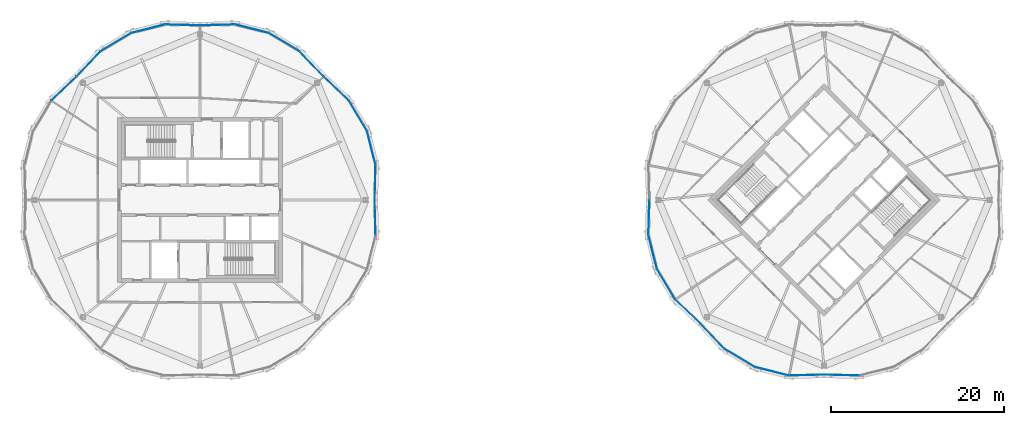
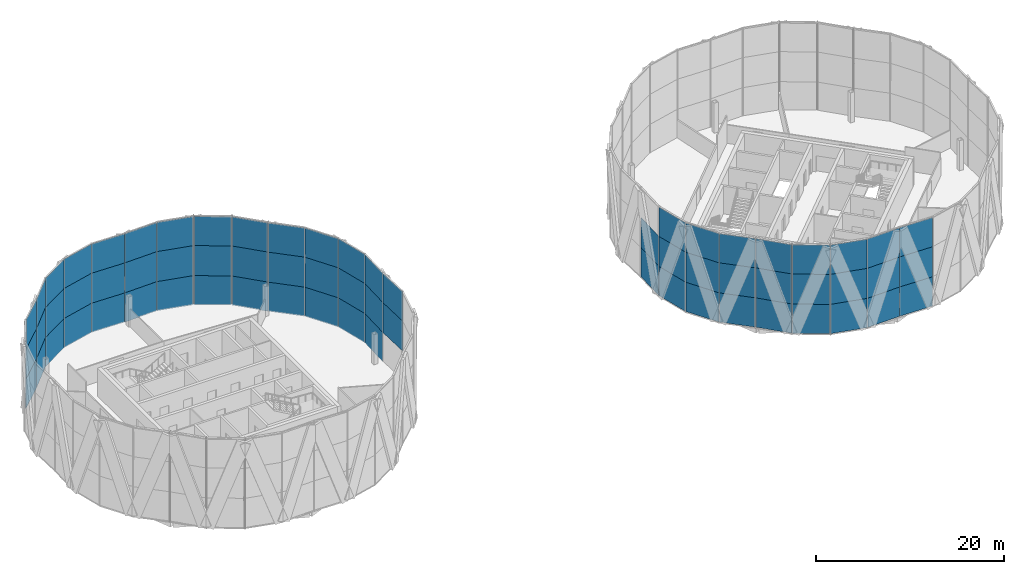
# One storey, part 13 of 22: 67 plates, 8 elements without a shape of their own.
"""IFC4 building model written with IfcOpenShell, lengths in metres."""

from ifc_helpers import new_model, si_unit, direction, frame, origin, origin_2d, place, context, subcontext, project, spatial, rectangle, extrude, material, layer, layer_set, type_object, element, aggregate, save


model = new_model("IFC4")

# Units and contexts
model_context = context("Model", 3, precision=1e-05, world=origin(), true_north=direction((0.0, 1.0)))
body_context = subcontext(model_context, "Body", "Model", "MODEL_VIEW")
ifc_project = project(units=[si_unit("LENGTHUNIT", "METRE"), si_unit("AREAUNIT", "SQUARE_METRE"), si_unit("VOLUMEUNIT", "CUBIC_METRE"), si_unit("PLANEANGLEUNIT", "RADIAN"), si_unit("MASSUNIT", "GRAM", prefix="KILO")], contexts=[model_context])

# Site, building, storey
site_placement = place(None, origin())
site = spatial("IfcSite", under=ifc_project, at=site_placement, CompositionType="ELEMENT")
building_placement = place(site_placement, origin())
building = spatial("IfcBuilding", under=site, at=building_placement, Name="Ogive Gate Towers", CompositionType="ELEMENT")
storey_placement = place(building_placement, frame((0.0, 0.0, 228.89990234375)))
storey = spatial("IfcBuildingStorey", under=building, at=storey_placement, Name="L54", CompositionType="ELEMENT", Elevation=228.89990234375)

# Curtain wall, plates
ifc_material_1 = material(Name="Pale metal aluminium", Category="aluminium")
curtain_wall_type = type_object("IfcCurtainWallType", Name="Tower unitised wall, high zone", PredefinedType="NOTDEFINED", material=ifc_material_1)
curtain_wall_1_placement = place(storey_placement, origin())
curtain_wall_1 = element("IfcCurtainWall", 1, at=curtain_wall_1_placement, inside=storey, type_object=curtain_wall_type, Name="CW2 T1 ECW01", PredefinedType="NOTDEFINED")
ifc_material_2 = material(Name="Clear glass", Category="glass")
ifc_layer = layer(ifc_material_2, 0.028076171875)
ifc_layer_set = layer_set([ifc_layer], Name="Tower unitised wall, high zone glass panel")
plate_type = type_object("IfcPlateType", Name="Tower unitised wall, high zone glass panel", PredefinedType="CURTAIN_PANEL", material=ifc_layer_set)
plate_1_placement = place(storey_placement, frame((-15.79736328125, 2.008056640625, -0.2041015625), z_axis=(0.0, 0.0, 1.0), x_axis=(0.026229290207, 0.999655952983, 0.0)))
plate_1 = element("IfcPlate", 2, at=plate_1_placement, type_object=plate_type, Name="CW2 glass panel", PredefinedType="CURTAIN_PANEL", context=body_context, shape_type="SweptSolid", body=[
    extrude(rectangle(XDim=3.963623046875, YDim=0.028076171875, at=origin_2d()), origin(), (0.0, 0.0, 1.0), 3.803955078125),
])
plate_2_placement = place(storey_placement, frame((-15.79736328125, 2.008056640625, 3.60009765625), z_axis=(0.0, 0.0, 1.0), x_axis=(0.026229290207, 0.999655952983, 0.0)))
plate_2 = element("IfcPlate", 3, at=plate_2_placement, type_object=plate_type, Name="CW2 glass panel", PredefinedType="CURTAIN_PANEL", context=body_context, shape_type="SweptSolid", body=[
    extrude(rectangle(XDim=3.963623046875, YDim=0.028076171875, at=origin_2d()), origin(), (0.0, 0.0, 1.0), 3.89990234375),
])
plate_3_placement = place(storey_placement, frame((-15.79736328125, 2.008056640625, 7.5), z_axis=(0.0, 0.0, 1.0), x_axis=(0.026229290207, 0.999655952983, 0.0)))
plate_3 = element("IfcPlate", 4, at=plate_3_placement, type_object=plate_type, Name="CW2 glass panel", PredefinedType="CURTAIN_PANEL", context=body_context, shape_type="SweptSolid", body=[
    extrude(rectangle(XDim=3.963623046875, YDim=0.028076171875, at=origin_2d()), origin(), (0.0, 0.0, 1.0), 3.803955078125),
])
plate_4_placement = place(storey_placement, frame((-16.240234375, 5.999755859375, -0.2041015625), z_axis=(0.0, 0.0, 1.0), x_axis=(-0.242937854074, 0.970041854282, 0.0)))
plate_4 = element("IfcPlate", 5, at=plate_4_placement, type_object=plate_type, Name="CW2 glass panel", PredefinedType="CURTAIN_PANEL", context=body_context, shape_type="SweptSolid", body=[
    extrude(rectangle(XDim=4.01953125, YDim=0.028076171875, at=origin_2d()), origin(), (0.0, 0.0, 1.0), 3.803955078125),
])
plate_5_placement = place(storey_placement, frame((-16.240234375, 5.999755859375, 3.60009765625), z_axis=(0.0, 0.0, 1.0), x_axis=(-0.242937854074, 0.970041854282, 0.0)))
plate_5 = element("IfcPlate", 6, at=plate_5_placement, type_object=plate_type, Name="CW2 glass panel", PredefinedType="CURTAIN_PANEL", context=body_context, shape_type="SweptSolid", body=[
    extrude(rectangle(XDim=4.01953125, YDim=0.028076171875, at=origin_2d()), origin(), (0.0, 0.0, 1.0), 3.89990234375),
])
plate_6_placement = place(storey_placement, frame((-16.240234375, 5.999755859375, 7.5), z_axis=(0.0, 0.0, 1.0), x_axis=(-0.242937854074, 0.970041854282, 0.0)))
plate_6 = element("IfcPlate", 7, at=plate_6_placement, type_object=plate_type, Name="CW2 glass panel", PredefinedType="CURTAIN_PANEL", context=body_context, shape_type="SweptSolid", body=[
    extrude(rectangle(XDim=4.01953125, YDim=0.028076171875, at=origin_2d()), origin(), (0.0, 0.0, 1.0), 3.803955078125),
])
plate_7_placement = place(storey_placement, frame((-17.785400390625, 9.729736328125, -0.2041015625), z_axis=(0.0, 0.0, 1.0), x_axis=(-0.514155138893, 0.85769720365, 0.0)))
plate_7 = element("IfcPlate", 8, at=plate_7_placement, type_object=plate_type, Name="CW2 glass panel", PredefinedType="CURTAIN_PANEL", context=body_context, shape_type="SweptSolid", body=[
    extrude(rectangle(XDim=4.01953125, YDim=0.028076171875, at=origin_2d()), origin(), (0.0, 0.0, 1.0), 3.803955078125),
])
plate_8_placement = place(storey_placement, frame((-17.785400390625, 9.729736328125, 3.60009765625), z_axis=(0.0, 0.0, 1.0), x_axis=(-0.514155138893, 0.85769720365, 0.0)))
plate_8 = element("IfcPlate", 9, at=plate_8_placement, type_object=plate_type, Name="CW2 glass panel", PredefinedType="CURTAIN_PANEL", context=body_context, shape_type="SweptSolid", body=[
    extrude(rectangle(XDim=4.01953125, YDim=0.028076171875, at=origin_2d()), origin(), (0.0, 0.0, 1.0), 3.89990234375),
])
plate_9_placement = place(storey_placement, frame((-17.785400390625, 9.729736328125, 7.5), z_axis=(0.0, 0.0, 1.0), x_axis=(-0.514155138893, 0.85769720365, 0.0)))
plate_9 = element("IfcPlate", 10, at=plate_9_placement, type_object=plate_type, Name="CW2 glass panel", PredefinedType="CURTAIN_PANEL", context=body_context, shape_type="SweptSolid", body=[
    extrude(rectangle(XDim=4.01953125, YDim=0.028076171875, at=origin_2d()), origin(), (0.0, 0.0, 1.0), 3.803955078125),
])
plate_10_placement = place(storey_placement, frame((-20.294677734375, 12.865478515625, -0.2041015625), z_axis=(0.0, 0.0, 1.0), x_axis=(-0.725398398678, 0.688329254932, 0.0)))
plate_10 = element("IfcPlate", 11, at=plate_10_placement, type_object=plate_type, Name="CW2 glass panel", PredefinedType="CURTAIN_PANEL", context=body_context, shape_type="SweptSolid", body=[
    extrude(rectangle(XDim=3.963623046875, YDim=0.028076171875, at=origin_2d()), origin(), (0.0, 0.0, 1.0), 3.803955078125),
])
plate_11_placement = place(storey_placement, frame((-20.294677734375, 12.865478515625, 3.60009765625), z_axis=(0.0, 0.0, 1.0), x_axis=(-0.725398398678, 0.688329254932, 0.0)))
plate_11 = element("IfcPlate", 12, at=plate_11_placement, type_object=plate_type, Name="CW2 glass panel", PredefinedType="CURTAIN_PANEL", context=body_context, shape_type="SweptSolid", body=[
    extrude(rectangle(XDim=3.963623046875, YDim=0.028076171875, at=origin_2d()), origin(), (0.0, 0.0, 1.0), 3.89990234375),
])
plate_12_placement = place(storey_placement, frame((-20.294677734375, 12.865478515625, 7.5), z_axis=(0.0, 0.0, 1.0), x_axis=(-0.725398398678, 0.688329254932, 0.0)))
plate_12 = element("IfcPlate", 13, at=plate_12_placement, type_object=plate_type, Name="CW2 glass panel", PredefinedType="CURTAIN_PANEL", context=body_context, shape_type="SweptSolid", body=[
    extrude(rectangle(XDim=3.963623046875, YDim=0.028076171875, at=origin_2d()), origin(), (0.0, 0.0, 1.0), 3.803955078125),
])
aggregate(curtain_wall_1, [plate_1, plate_2, plate_3, plate_4, plate_5, plate_6, plate_7, plate_8, plate_9, plate_10, plate_11, plate_12])

curtain_wall_2_placement = place(storey_placement, origin())
curtain_wall_2 = element("IfcCurtainWall", 14, at=curtain_wall_2_placement, inside=storey, type_object=curtain_wall_type, Name="CW2 T1 ECW02", PredefinedType="NOTDEFINED")
plate_13_placement = place(storey_placement, frame((-23.134521484375, 15.705322265625, -0.2041015625), z_axis=(0.0, 0.0, 1.0), x_axis=(-0.688329254932, 0.725398398678, 0.0)))
plate_13 = element("IfcPlate", 15, at=plate_13_placement, type_object=plate_type, Name="CW2 glass panel", PredefinedType="CURTAIN_PANEL", context=body_context, shape_type="SweptSolid", body=[
    extrude(rectangle(XDim=3.963623046875, YDim=0.028076171875, at=origin_2d()), origin(), (0.0, 0.0, 1.0), 3.803955078125),
])
plate_14_placement = place(storey_placement, frame((-23.134521484375, 15.705322265625, 3.60009765625), z_axis=(0.0, 0.0, 1.0), x_axis=(-0.688329254932, 0.725398398678, 0.0)))
plate_14 = element("IfcPlate", 16, at=plate_14_placement, type_object=plate_type, Name="CW2 glass panel", PredefinedType="CURTAIN_PANEL", context=body_context, shape_type="SweptSolid", body=[
    extrude(rectangle(XDim=3.963623046875, YDim=0.028076171875, at=origin_2d()), origin(), (0.0, 0.0, 1.0), 3.89990234375),
])
plate_15_placement = place(storey_placement, frame((-23.134521484375, 15.705322265625, 7.5), z_axis=(0.0, 0.0, 1.0), x_axis=(-0.688329254932, 0.725398398678, 0.0)))
plate_15 = element("IfcPlate", 17, at=plate_15_placement, type_object=plate_type, Name="CW2 glass panel", PredefinedType="CURTAIN_PANEL", context=body_context, shape_type="SweptSolid", body=[
    extrude(rectangle(XDim=3.963623046875, YDim=0.028076171875, at=origin_2d()), origin(), (0.0, 0.0, 1.0), 3.803955078125),
])
plate_16_placement = place(storey_placement, frame((-26.270263671875, 18.214599609375, -0.2041015625), z_axis=(0.0, 0.0, 1.0), x_axis=(-0.85769720365, 0.514155138893, 0.0)))
plate_16 = element("IfcPlate", 18, at=plate_16_placement, type_object=plate_type, Name="CW2 glass panel", PredefinedType="CURTAIN_PANEL", context=body_context, shape_type="SweptSolid", body=[
    extrude(rectangle(XDim=4.01953125, YDim=0.028076171875, at=origin_2d()), origin(), (0.0, 0.0, 1.0), 3.803955078125),
])
plate_17_placement = place(storey_placement, frame((-26.270263671875, 18.214599609375, 3.60009765625), z_axis=(0.0, 0.0, 1.0), x_axis=(-0.85769720365, 0.514155138893, 0.0)))
plate_17 = element("IfcPlate", 19, at=plate_17_placement, type_object=plate_type, Name="CW2 glass panel", PredefinedType="CURTAIN_PANEL", context=body_context, shape_type="SweptSolid", body=[
    extrude(rectangle(XDim=4.01953125, YDim=0.028076171875, at=origin_2d()), origin(), (0.0, 0.0, 1.0), 3.89990234375),
])
plate_18_placement = place(storey_placement, frame((-26.270263671875, 18.214599609375, 7.5), z_axis=(0.0, 0.0, 1.0), x_axis=(-0.85769720365, 0.514155138893, 0.0)))
plate_18 = element("IfcPlate", 20, at=plate_18_placement, type_object=plate_type, Name="CW2 glass panel", PredefinedType="CURTAIN_PANEL", context=body_context, shape_type="SweptSolid", body=[
    extrude(rectangle(XDim=4.01953125, YDim=0.028076171875, at=origin_2d()), origin(), (0.0, 0.0, 1.0), 3.803955078125),
])
plate_19_placement = place(storey_placement, frame((-30.000244140625, 19.759765625, -0.2041015625), z_axis=(0.0, 0.0, 1.0), x_axis=(-0.970041854282, 0.242937854074, 0.0)))
plate_19 = element("IfcPlate", 21, at=plate_19_placement, type_object=plate_type, Name="CW2 glass panel", PredefinedType="CURTAIN_PANEL", context=body_context, shape_type="SweptSolid", body=[
    extrude(rectangle(XDim=4.01953125, YDim=0.028076171875, at=origin_2d()), origin(), (0.0, 0.0, 1.0), 3.803955078125),
])
plate_20_placement = place(storey_placement, frame((-30.000244140625, 19.759765625, 3.60009765625), z_axis=(0.0, 0.0, 1.0), x_axis=(-0.970041854282, 0.242937854074, 0.0)))
plate_20 = element("IfcPlate", 22, at=plate_20_placement, type_object=plate_type, Name="CW2 glass panel", PredefinedType="CURTAIN_PANEL", context=body_context, shape_type="SweptSolid", body=[
    extrude(rectangle(XDim=4.01953125, YDim=0.028076171875, at=origin_2d()), origin(), (0.0, 0.0, 1.0), 3.89990234375),
])
plate_21_placement = place(storey_placement, frame((-30.000244140625, 19.759765625, 7.5), z_axis=(0.0, 0.0, 1.0), x_axis=(-0.970041854282, 0.242937854074, 0.0)))
plate_21 = element("IfcPlate", 23, at=plate_21_placement, type_object=plate_type, Name="CW2 glass panel", PredefinedType="CURTAIN_PANEL", context=body_context, shape_type="SweptSolid", body=[
    extrude(rectangle(XDim=4.01953125, YDim=0.028076171875, at=origin_2d()), origin(), (0.0, 0.0, 1.0), 3.803955078125),
])
plate_22_placement = place(storey_placement, frame((-33.991943359375, 20.20263671875, -0.2041015625), z_axis=(0.0, 0.0, 1.0), x_axis=(-0.999655952983, -0.026229290207, 0.0)))
plate_22 = element("IfcPlate", 24, at=plate_22_placement, type_object=plate_type, Name="CW2 glass panel", PredefinedType="CURTAIN_PANEL", context=body_context, shape_type="SweptSolid", body=[
    extrude(rectangle(XDim=3.963623046875, YDim=0.028076171875, at=origin_2d()), origin(), (0.0, 0.0, 1.0), 3.803955078125),
])
plate_23_placement = place(storey_placement, frame((-33.991943359375, 20.20263671875, 3.60009765625), z_axis=(0.0, 0.0, 1.0), x_axis=(-0.999655952983, -0.026229290207, 0.0)))
plate_23 = element("IfcPlate", 25, at=plate_23_placement, type_object=plate_type, Name="CW2 glass panel", PredefinedType="CURTAIN_PANEL", context=body_context, shape_type="SweptSolid", body=[
    extrude(rectangle(XDim=3.963623046875, YDim=0.028076171875, at=origin_2d()), origin(), (0.0, 0.0, 1.0), 3.89990234375),
])
plate_24_placement = place(storey_placement, frame((-33.991943359375, 20.20263671875, 7.5), z_axis=(0.0, 0.0, 1.0), x_axis=(-0.999655952983, -0.026229290207, 0.0)))
plate_24 = element("IfcPlate", 26, at=plate_24_placement, type_object=plate_type, Name="CW2 glass panel", PredefinedType="CURTAIN_PANEL", context=body_context, shape_type="SweptSolid", body=[
    extrude(rectangle(XDim=3.963623046875, YDim=0.028076171875, at=origin_2d()), origin(), (0.0, 0.0, 1.0), 3.803955078125),
])
aggregate(curtain_wall_2, [plate_13, plate_14, plate_15, plate_16, plate_17, plate_18, plate_19, plate_20, plate_21, plate_22, plate_23, plate_24])

curtain_wall_3_placement = place(storey_placement, origin())
curtain_wall_3 = element("IfcCurtainWall", 27, at=curtain_wall_3_placement, inside=storey, type_object=curtain_wall_type, Name="CW2 T1 ECW03", PredefinedType="NOTDEFINED")
plate_25_placement = place(storey_placement, frame((-38.008056640625, 20.20263671875, -0.2041015625), z_axis=(0.0, 0.0, 1.0), x_axis=(-0.999655952983, 0.026229290207, 0.0)))
plate_25 = element("IfcPlate", 28, at=plate_25_placement, type_object=plate_type, Name="CW2 glass panel", PredefinedType="CURTAIN_PANEL", context=body_context, shape_type="SweptSolid", body=[
    extrude(rectangle(XDim=3.963623046875, YDim=0.028076171875, at=origin_2d()), origin(), (0.0, 0.0, 1.0), 3.803955078125),
])
plate_26_placement = place(storey_placement, frame((-38.008056640625, 20.20263671875, 3.60009765625), z_axis=(0.0, 0.0, 1.0), x_axis=(-0.999655952983, 0.026229290207, 0.0)))
plate_26 = element("IfcPlate", 29, at=plate_26_placement, type_object=plate_type, Name="CW2 glass panel", PredefinedType="CURTAIN_PANEL", context=body_context, shape_type="SweptSolid", body=[
    extrude(rectangle(XDim=3.963623046875, YDim=0.028076171875, at=origin_2d()), origin(), (0.0, 0.0, 1.0), 3.89990234375),
])
plate_27_placement = place(storey_placement, frame((-38.008056640625, 20.20263671875, 7.5), z_axis=(0.0, 0.0, 1.0), x_axis=(-0.999655952983, 0.026229290207, 0.0)))
plate_27 = element("IfcPlate", 30, at=plate_27_placement, type_object=plate_type, Name="CW2 glass panel", PredefinedType="CURTAIN_PANEL", context=body_context, shape_type="SweptSolid", body=[
    extrude(rectangle(XDim=3.963623046875, YDim=0.028076171875, at=origin_2d()), origin(), (0.0, 0.0, 1.0), 3.803955078125),
])
plate_28_placement = place(storey_placement, frame((-41.999755859375, 19.759765625, -0.2041015625), z_axis=(0.0, 0.0, 1.0), x_axis=(-0.970041854282, -0.242937854074, 0.0)))
plate_28 = element("IfcPlate", 31, at=plate_28_placement, type_object=plate_type, Name="CW2 glass panel", PredefinedType="CURTAIN_PANEL", context=body_context, shape_type="SweptSolid", body=[
    extrude(rectangle(XDim=4.01953125, YDim=0.028076171875, at=origin_2d()), origin(), (0.0, 0.0, 1.0), 3.803955078125),
])
plate_29_placement = place(storey_placement, frame((-41.999755859375, 19.759765625, 3.60009765625), z_axis=(0.0, 0.0, 1.0), x_axis=(-0.970041854282, -0.242937854074, 0.0)))
plate_29 = element("IfcPlate", 32, at=plate_29_placement, type_object=plate_type, Name="CW2 glass panel", PredefinedType="CURTAIN_PANEL", context=body_context, shape_type="SweptSolid", body=[
    extrude(rectangle(XDim=4.01953125, YDim=0.028076171875, at=origin_2d()), origin(), (0.0, 0.0, 1.0), 3.89990234375),
])
plate_30_placement = place(storey_placement, frame((-41.999755859375, 19.759765625, 7.5), z_axis=(0.0, 0.0, 1.0), x_axis=(-0.970041854282, -0.242937854074, 0.0)))
plate_30 = element("IfcPlate", 33, at=plate_30_placement, type_object=plate_type, Name="CW2 glass panel", PredefinedType="CURTAIN_PANEL", context=body_context, shape_type="SweptSolid", body=[
    extrude(rectangle(XDim=4.01953125, YDim=0.028076171875, at=origin_2d()), origin(), (0.0, 0.0, 1.0), 3.803955078125),
])
plate_31_placement = place(storey_placement, frame((-45.729736328125, 18.214599609375, -0.2041015625), z_axis=(0.0, 0.0, 1.0), x_axis=(-0.85769720365, -0.514155138893, 0.0)))
plate_31 = element("IfcPlate", 34, at=plate_31_placement, type_object=plate_type, Name="CW2 glass panel", PredefinedType="CURTAIN_PANEL", context=body_context, shape_type="SweptSolid", body=[
    extrude(rectangle(XDim=4.01953125, YDim=0.028076171875, at=origin_2d()), origin(), (0.0, 0.0, 1.0), 3.803955078125),
])
plate_32_placement = place(storey_placement, frame((-45.729736328125, 18.214599609375, 3.60009765625), z_axis=(0.0, 0.0, 1.0), x_axis=(-0.85769720365, -0.514155138893, 0.0)))
plate_32 = element("IfcPlate", 35, at=plate_32_placement, type_object=plate_type, Name="CW2 glass panel", PredefinedType="CURTAIN_PANEL", context=body_context, shape_type="SweptSolid", body=[
    extrude(rectangle(XDim=4.01953125, YDim=0.028076171875, at=origin_2d()), origin(), (0.0, 0.0, 1.0), 3.89990234375),
])
plate_33_placement = place(storey_placement, frame((-45.729736328125, 18.214599609375, 7.5), z_axis=(0.0, 0.0, 1.0), x_axis=(-0.85769720365, -0.514155138893, 0.0)))
plate_33 = element("IfcPlate", 36, at=plate_33_placement, type_object=plate_type, Name="CW2 glass panel", PredefinedType="CURTAIN_PANEL", context=body_context, shape_type="SweptSolid", body=[
    extrude(rectangle(XDim=4.01953125, YDim=0.028076171875, at=origin_2d()), origin(), (0.0, 0.0, 1.0), 3.803955078125),
])
plate_34_placement = place(storey_placement, frame((-48.865478515625, 15.705322265625, -0.2041015625), z_axis=(0.0, 0.0, 1.0), x_axis=(-0.688329254932, -0.725398398678, 0.0)))
plate_34 = element("IfcPlate", 37, at=plate_34_placement, type_object=plate_type, Name="CW2 glass panel", PredefinedType="CURTAIN_PANEL", context=body_context, shape_type="SweptSolid", body=[
    extrude(rectangle(XDim=3.963623046875, YDim=0.028076171875, at=origin_2d()), origin(), (0.0, 0.0, 1.0), 3.803955078125),
])
plate_35_placement = place(storey_placement, frame((-48.865478515625, 15.705322265625, 3.60009765625), z_axis=(0.0, 0.0, 1.0), x_axis=(-0.688329254932, -0.725398398678, 0.0)))
plate_35 = element("IfcPlate", 38, at=plate_35_placement, type_object=plate_type, Name="CW2 glass panel", PredefinedType="CURTAIN_PANEL", context=body_context, shape_type="SweptSolid", body=[
    extrude(rectangle(XDim=3.963623046875, YDim=0.028076171875, at=origin_2d()), origin(), (0.0, 0.0, 1.0), 3.89990234375),
])
plate_36_placement = place(storey_placement, frame((-48.865478515625, 15.705322265625, 7.5), z_axis=(0.0, 0.0, 1.0), x_axis=(-0.688329254932, -0.725398398678, 0.0)))
plate_36 = element("IfcPlate", 39, at=plate_36_placement, type_object=plate_type, Name="CW2 glass panel", PredefinedType="CURTAIN_PANEL", context=body_context, shape_type="SweptSolid", body=[
    extrude(rectangle(XDim=3.963623046875, YDim=0.028076171875, at=origin_2d()), origin(), (0.0, 0.0, 1.0), 3.803955078125),
])
aggregate(curtain_wall_3, [plate_25, plate_26, plate_27, plate_28, plate_29, plate_30, plate_31, plate_32, plate_33, plate_34, plate_35, plate_36])

curtain_wall_4_placement = place(storey_placement, origin())
curtain_wall_4 = element("IfcCurtainWall", 40, at=curtain_wall_4_placement, inside=storey, type_object=curtain_wall_type, Name="CW2 T1 ECW04", PredefinedType="NOTDEFINED")
plate_37_placement = place(storey_placement, frame((-51.705322265625, 12.865478515625, -0.2041015625), z_axis=(0.0, 0.0, 1.0), x_axis=(-0.725398398678, -0.688329254932, 0.0)))
plate_37 = element("IfcPlate", 41, at=plate_37_placement, type_object=plate_type, Name="CW2 glass panel", PredefinedType="CURTAIN_PANEL", context=body_context, shape_type="SweptSolid", body=[
    extrude(rectangle(XDim=3.963623046875, YDim=0.028076171875, at=origin_2d()), origin(), (0.0, 0.0, 1.0), 3.803955078125),
])
plate_38_placement = place(storey_placement, frame((-51.705322265625, 12.865478515625, 3.60009765625), z_axis=(0.0, 0.0, 1.0), x_axis=(-0.725398398678, -0.688329254932, 0.0)))
plate_38 = element("IfcPlate", 42, at=plate_38_placement, type_object=plate_type, Name="CW2 glass panel", PredefinedType="CURTAIN_PANEL", context=body_context, shape_type="SweptSolid", body=[
    extrude(rectangle(XDim=3.963623046875, YDim=0.028076171875, at=origin_2d()), origin(), (0.0, 0.0, 1.0), 3.89990234375),
])
plate_39_placement = place(storey_placement, frame((-51.705322265625, 12.865478515625, 7.5), z_axis=(0.0, 0.0, 1.0), x_axis=(-0.725398398678, -0.688329254932, 0.0)))
plate_39 = element("IfcPlate", 43, at=plate_39_placement, type_object=plate_type, Name="CW2 glass panel", PredefinedType="CURTAIN_PANEL", context=body_context, shape_type="SweptSolid", body=[
    extrude(rectangle(XDim=3.963623046875, YDim=0.028076171875, at=origin_2d()), origin(), (0.0, 0.0, 1.0), 3.803955078125),
])
aggregate(curtain_wall_4, [plate_37, plate_38, plate_39])

curtain_wall_5_placement = place(storey_placement, origin())
curtain_wall_5 = element("IfcCurtainWall", 44, at=curtain_wall_5_placement, inside=storey, type_object=curtain_wall_type, Name="CW2 T1 ECW08", PredefinedType="NOTDEFINED")
plate_40_placement = place(storey_placement, frame((-15.79736328125, -2.008056640625, 3.60009765625), z_axis=(0.0, 0.0, 1.0), x_axis=(-0.026229290207, 0.999655952983, 0.0)))
plate_40 = element("IfcPlate", 45, at=plate_40_placement, type_object=plate_type, Name="CW2 glass panel", PredefinedType="CURTAIN_PANEL", context=body_context, shape_type="SweptSolid", body=[
    extrude(rectangle(XDim=3.963623046875, YDim=0.028076171875, at=origin_2d()), origin(), (0.0, 0.0, 1.0), 3.89990234375),
])
plate_41_placement = place(storey_placement, frame((-15.79736328125, -2.008056640625, 7.5), z_axis=(0.0, 0.0, 1.0), x_axis=(-0.026229290207, 0.999655952983, 0.0)))
plate_41 = element("IfcPlate", 46, at=plate_41_placement, type_object=plate_type, Name="CW2 glass panel", PredefinedType="CURTAIN_PANEL", context=body_context, shape_type="SweptSolid", body=[
    extrude(rectangle(XDim=3.963623046875, YDim=0.028076171875, at=origin_2d()), origin(), (0.0, 0.0, 1.0), 3.803955078125),
])
aggregate(curtain_wall_5, [plate_40, plate_41])

curtain_wall_6_placement = place(storey_placement, origin())
curtain_wall_6 = element("IfcCurtainWall", 47, at=curtain_wall_6_placement, inside=storey, type_object=curtain_wall_type, Name="CW2 T2 ECW05", PredefinedType="NOTDEFINED")
plate_42_placement = place(storey_placement, frame((15.79736328125, -2.008056640625, -0.2041015625), z_axis=(0.0, 0.0, 1.0), x_axis=(-0.026229290207, -0.999655952983, 0.0)))
plate_42 = element("IfcPlate", 48, at=plate_42_placement, type_object=plate_type, Name="CW2 glass panel", PredefinedType="CURTAIN_PANEL", context=body_context, shape_type="SweptSolid", body=[
    extrude(rectangle(XDim=3.963623046875, YDim=0.028076171875, at=origin_2d()), origin(), (0.0, 0.0, 1.0), 3.803955078125),
])
plate_43_placement = place(storey_placement, frame((15.79736328125, -2.008056640625, 3.60009765625), z_axis=(0.0, 0.0, 1.0), x_axis=(-0.026229290207, -0.999655952983, 0.0)))
plate_43 = element("IfcPlate", 49, at=plate_43_placement, type_object=plate_type, Name="CW2 glass panel", PredefinedType="CURTAIN_PANEL", context=body_context, shape_type="SweptSolid", body=[
    extrude(rectangle(XDim=3.963623046875, YDim=0.028076171875, at=origin_2d()), origin(), (0.0, 0.0, 1.0), 3.89990234375),
])
plate_44_placement = place(storey_placement, frame((16.240234375, -5.999755859375, -0.2041015625), z_axis=(0.0, 0.0, 1.0), x_axis=(0.242937854074, -0.970041854282, 0.0)))
plate_44 = element("IfcPlate", 50, at=plate_44_placement, type_object=plate_type, Name="CW2 glass panel", PredefinedType="CURTAIN_PANEL", context=body_context, shape_type="SweptSolid", body=[
    extrude(rectangle(XDim=4.01953125, YDim=0.028076171875, at=origin_2d()), origin(), (0.0, 0.0, 1.0), 3.803955078125),
])
plate_45_placement = place(storey_placement, frame((16.240234375, -5.999755859375, 3.60009765625), z_axis=(0.0, 0.0, 1.0), x_axis=(0.242937854074, -0.970041854282, 0.0)))
plate_45 = element("IfcPlate", 51, at=plate_45_placement, type_object=plate_type, Name="CW2 glass panel", PredefinedType="CURTAIN_PANEL", context=body_context, shape_type="SweptSolid", body=[
    extrude(rectangle(XDim=4.01953125, YDim=0.028076171875, at=origin_2d()), origin(), (0.0, 0.0, 1.0), 3.89990234375),
])
plate_46_placement = place(storey_placement, frame((16.240234375, -5.999755859375, 7.5), z_axis=(0.0, 0.0, 1.0), x_axis=(0.242937854074, -0.970041854282, 0.0)))
plate_46 = element("IfcPlate", 52, at=plate_46_placement, type_object=plate_type, Name="CW2 glass panel", PredefinedType="CURTAIN_PANEL", context=body_context, shape_type="SweptSolid", body=[
    extrude(rectangle(XDim=4.01953125, YDim=0.028076171875, at=origin_2d()), origin(), (0.0, 0.0, 1.0), 3.803955078125),
])
plate_47_placement = place(storey_placement, frame((17.785400390625, -9.729736328125, -0.2041015625), z_axis=(0.0, 0.0, 1.0), x_axis=(0.514155138893, -0.85769720365, 0.0)))
plate_47 = element("IfcPlate", 53, at=plate_47_placement, type_object=plate_type, Name="CW2 glass panel", PredefinedType="CURTAIN_PANEL", context=body_context, shape_type="SweptSolid", body=[
    extrude(rectangle(XDim=4.01953125, YDim=0.028076171875, at=origin_2d()), origin(), (0.0, 0.0, 1.0), 3.803955078125),
])
plate_48_placement = place(storey_placement, frame((17.785400390625, -9.729736328125, 3.60009765625), z_axis=(0.0, 0.0, 1.0), x_axis=(0.514155138893, -0.85769720365, 0.0)))
plate_48 = element("IfcPlate", 54, at=plate_48_placement, type_object=plate_type, Name="CW2 glass panel", PredefinedType="CURTAIN_PANEL", context=body_context, shape_type="SweptSolid", body=[
    extrude(rectangle(XDim=4.01953125, YDim=0.028076171875, at=origin_2d()), origin(), (0.0, 0.0, 1.0), 3.89990234375),
])
plate_49_placement = place(storey_placement, frame((17.785400390625, -9.729736328125, 7.5), z_axis=(0.0, 0.0, 1.0), x_axis=(0.514155138893, -0.85769720365, 0.0)))
plate_49 = element("IfcPlate", 55, at=plate_49_placement, type_object=plate_type, Name="CW2 glass panel", PredefinedType="CURTAIN_PANEL", context=body_context, shape_type="SweptSolid", body=[
    extrude(rectangle(XDim=4.01953125, YDim=0.028076171875, at=origin_2d()), origin(), (0.0, 0.0, 1.0), 3.803955078125),
])
plate_50_placement = place(storey_placement, frame((20.294677734375, -12.865478515625, -0.2041015625), z_axis=(0.0, 0.0, 1.0), x_axis=(0.725398398678, -0.688329254932, 0.0)))
plate_50 = element("IfcPlate", 56, at=plate_50_placement, type_object=plate_type, Name="CW2 glass panel", PredefinedType="CURTAIN_PANEL", context=body_context, shape_type="SweptSolid", body=[
    extrude(rectangle(XDim=3.963623046875, YDim=0.028076171875, at=origin_2d()), origin(), (0.0, 0.0, 1.0), 3.803955078125),
])
plate_51_placement = place(storey_placement, frame((20.294677734375, -12.865478515625, 3.60009765625), z_axis=(0.0, 0.0, 1.0), x_axis=(0.725398398678, -0.688329254932, 0.0)))
plate_51 = element("IfcPlate", 57, at=plate_51_placement, type_object=plate_type, Name="CW2 glass panel", PredefinedType="CURTAIN_PANEL", context=body_context, shape_type="SweptSolid", body=[
    extrude(rectangle(XDim=3.963623046875, YDim=0.028076171875, at=origin_2d()), origin(), (0.0, 0.0, 1.0), 3.89990234375),
])
plate_52_placement = place(storey_placement, frame((20.294677734375, -12.865478515625, 7.5), z_axis=(0.0, 0.0, 1.0), x_axis=(0.725398398678, -0.688329254932, 0.0)))
plate_52 = element("IfcPlate", 58, at=plate_52_placement, type_object=plate_type, Name="CW2 glass panel", PredefinedType="CURTAIN_PANEL", context=body_context, shape_type="SweptSolid", body=[
    extrude(rectangle(XDim=3.963623046875, YDim=0.028076171875, at=origin_2d()), origin(), (0.0, 0.0, 1.0), 3.803955078125),
])
aggregate(curtain_wall_6, [plate_42, plate_43, plate_44, plate_45, plate_46, plate_47, plate_48, plate_49, plate_50, plate_51, plate_52])

curtain_wall_7_placement = place(storey_placement, origin())
curtain_wall_7 = element("IfcCurtainWall", 59, at=curtain_wall_7_placement, inside=storey, type_object=curtain_wall_type, Name="CW2 T2 ECW06", PredefinedType="NOTDEFINED")
plate_53_placement = place(storey_placement, frame((23.134521484375, -15.705322265625, -0.2041015625), z_axis=(0.0, 0.0, 1.0), x_axis=(0.688329254932, -0.725398398678, 0.0)))
plate_53 = element("IfcPlate", 60, at=plate_53_placement, type_object=plate_type, Name="CW2 glass panel", PredefinedType="CURTAIN_PANEL", context=body_context, shape_type="SweptSolid", body=[
    extrude(rectangle(XDim=3.963623046875, YDim=0.028076171875, at=origin_2d()), origin(), (0.0, 0.0, 1.0), 3.803955078125),
])
plate_54_placement = place(storey_placement, frame((23.134521484375, -15.705322265625, 3.60009765625), z_axis=(0.0, 0.0, 1.0), x_axis=(0.688329254932, -0.725398398678, 0.0)))
plate_54 = element("IfcPlate", 61, at=plate_54_placement, type_object=plate_type, Name="CW2 glass panel", PredefinedType="CURTAIN_PANEL", context=body_context, shape_type="SweptSolid", body=[
    extrude(rectangle(XDim=3.963623046875, YDim=0.028076171875, at=origin_2d()), origin(), (0.0, 0.0, 1.0), 3.89990234375),
])
plate_55_placement = place(storey_placement, frame((23.134521484375, -15.705322265625, 7.5), z_axis=(0.0, 0.0, 1.0), x_axis=(0.688329254932, -0.725398398678, 0.0)))
plate_55 = element("IfcPlate", 62, at=plate_55_placement, type_object=plate_type, Name="CW2 glass panel", PredefinedType="CURTAIN_PANEL", context=body_context, shape_type="SweptSolid", body=[
    extrude(rectangle(XDim=3.963623046875, YDim=0.028076171875, at=origin_2d()), origin(), (0.0, 0.0, 1.0), 3.803955078125),
])
plate_56_placement = place(storey_placement, frame((26.270263671875, -18.214599609375, -0.2041015625), z_axis=(0.0, 0.0, 1.0), x_axis=(0.85769720365, -0.514155138893, 0.0)))
plate_56 = element("IfcPlate", 63, at=plate_56_placement, type_object=plate_type, Name="CW2 glass panel", PredefinedType="CURTAIN_PANEL", context=body_context, shape_type="SweptSolid", body=[
    extrude(rectangle(XDim=4.01953125, YDim=0.028076171875, at=origin_2d()), origin(), (0.0, 0.0, 1.0), 3.803955078125),
])
plate_57_placement = place(storey_placement, frame((26.270263671875, -18.214599609375, 3.60009765625), z_axis=(0.0, 0.0, 1.0), x_axis=(0.85769720365, -0.514155138893, 0.0)))
plate_57 = element("IfcPlate", 64, at=plate_57_placement, type_object=plate_type, Name="CW2 glass panel", PredefinedType="CURTAIN_PANEL", context=body_context, shape_type="SweptSolid", body=[
    extrude(rectangle(XDim=4.01953125, YDim=0.028076171875, at=origin_2d()), origin(), (0.0, 0.0, 1.0), 3.89990234375),
])
plate_58_placement = place(storey_placement, frame((26.270263671875, -18.214599609375, 7.5), z_axis=(0.0, 0.0, 1.0), x_axis=(0.85769720365, -0.514155138893, 0.0)))
plate_58 = element("IfcPlate", 65, at=plate_58_placement, type_object=plate_type, Name="CW2 glass panel", PredefinedType="CURTAIN_PANEL", context=body_context, shape_type="SweptSolid", body=[
    extrude(rectangle(XDim=4.01953125, YDim=0.028076171875, at=origin_2d()), origin(), (0.0, 0.0, 1.0), 3.803955078125),
])
plate_59_placement = place(storey_placement, frame((30.000244140625, -19.759765625, -0.2041015625), z_axis=(0.0, 0.0, 1.0), x_axis=(0.970041854282, -0.242937854074, 0.0)))
plate_59 = element("IfcPlate", 66, at=plate_59_placement, type_object=plate_type, Name="CW2 glass panel", PredefinedType="CURTAIN_PANEL", context=body_context, shape_type="SweptSolid", body=[
    extrude(rectangle(XDim=4.01953125, YDim=0.028076171875, at=origin_2d()), origin(), (0.0, 0.0, 1.0), 3.803955078125),
])
plate_60_placement = place(storey_placement, frame((30.000244140625, -19.759765625, 3.60009765625), z_axis=(0.0, 0.0, 1.0), x_axis=(0.970041854282, -0.242937854074, 0.0)))
plate_60 = element("IfcPlate", 67, at=plate_60_placement, type_object=plate_type, Name="CW2 glass panel", PredefinedType="CURTAIN_PANEL", context=body_context, shape_type="SweptSolid", body=[
    extrude(rectangle(XDim=4.01953125, YDim=0.028076171875, at=origin_2d()), origin(), (0.0, 0.0, 1.0), 3.89990234375),
])
plate_61_placement = place(storey_placement, frame((30.000244140625, -19.759765625, 7.5), z_axis=(0.0, 0.0, 1.0), x_axis=(0.970041854282, -0.242937854074, 0.0)))
plate_61 = element("IfcPlate", 68, at=plate_61_placement, type_object=plate_type, Name="CW2 glass panel", PredefinedType="CURTAIN_PANEL", context=body_context, shape_type="SweptSolid", body=[
    extrude(rectangle(XDim=4.01953125, YDim=0.028076171875, at=origin_2d()), origin(), (0.0, 0.0, 1.0), 3.803955078125),
])
plate_62_placement = place(storey_placement, frame((33.991943359375, -20.20263671875, -0.2041015625), z_axis=(0.0, 0.0, 1.0), x_axis=(0.999655952983, 0.026229290207, 0.0)))
plate_62 = element("IfcPlate", 69, at=plate_62_placement, type_object=plate_type, Name="CW2 glass panel", PredefinedType="CURTAIN_PANEL", context=body_context, shape_type="SweptSolid", body=[
    extrude(rectangle(XDim=3.963623046875, YDim=0.028076171875, at=origin_2d()), origin(), (0.0, 0.0, 1.0), 3.803955078125),
])
plate_63_placement = place(storey_placement, frame((33.991943359375, -20.20263671875, 3.60009765625), z_axis=(0.0, 0.0, 1.0), x_axis=(0.999655952983, 0.026229290207, 0.0)))
plate_63 = element("IfcPlate", 70, at=plate_63_placement, type_object=plate_type, Name="CW2 glass panel", PredefinedType="CURTAIN_PANEL", context=body_context, shape_type="SweptSolid", body=[
    extrude(rectangle(XDim=3.963623046875, YDim=0.028076171875, at=origin_2d()), origin(), (0.0, 0.0, 1.0), 3.89990234375),
])
plate_64_placement = place(storey_placement, frame((33.991943359375, -20.20263671875, 7.5), z_axis=(0.0, 0.0, 1.0), x_axis=(0.999655952983, 0.026229290207, 0.0)))
plate_64 = element("IfcPlate", 71, at=plate_64_placement, type_object=plate_type, Name="CW2 glass panel", PredefinedType="CURTAIN_PANEL", context=body_context, shape_type="SweptSolid", body=[
    extrude(rectangle(XDim=3.963623046875, YDim=0.028076171875, at=origin_2d()), origin(), (0.0, 0.0, 1.0), 3.803955078125),
])
aggregate(curtain_wall_7, [plate_53, plate_54, plate_55, plate_56, plate_57, plate_58, plate_59, plate_60, plate_61, plate_62, plate_63, plate_64])

curtain_wall_8_placement = place(storey_placement, origin())
curtain_wall_8 = element("IfcCurtainWall", 72, at=curtain_wall_8_placement, inside=storey, type_object=curtain_wall_type, Name="CW2 T2 ECW07", PredefinedType="NOTDEFINED")
plate_65_placement = place(storey_placement, frame((38.008056640625, -20.20263671875, -0.2041015625), z_axis=(0.0, 0.0, 1.0), x_axis=(0.999655952983, -0.026229290207, 0.0)))
plate_65 = element("IfcPlate", 73, at=plate_65_placement, type_object=plate_type, Name="CW2 glass panel", PredefinedType="CURTAIN_PANEL", context=body_context, shape_type="SweptSolid", body=[
    extrude(rectangle(XDim=3.963623046875, YDim=0.028076171875, at=origin_2d()), origin(), (0.0, 0.0, 1.0), 3.803955078125),
])
plate_66_placement = place(storey_placement, frame((38.008056640625, -20.20263671875, 3.60009765625), z_axis=(0.0, 0.0, 1.0), x_axis=(0.999655952983, -0.026229290207, 0.0)))
plate_66 = element("IfcPlate", 74, at=plate_66_placement, type_object=plate_type, Name="CW2 glass panel", PredefinedType="CURTAIN_PANEL", context=body_context, shape_type="SweptSolid", body=[
    extrude(rectangle(XDim=3.963623046875, YDim=0.028076171875, at=origin_2d()), origin(), (0.0, 0.0, 1.0), 3.89990234375),
])
plate_67_placement = place(storey_placement, frame((38.008056640625, -20.20263671875, 7.5), z_axis=(0.0, 0.0, 1.0), x_axis=(0.999655952983, -0.026229290207, 0.0)))
plate_67 = element("IfcPlate", 75, at=plate_67_placement, type_object=plate_type, Name="CW2 glass panel", PredefinedType="CURTAIN_PANEL", context=body_context, shape_type="SweptSolid", body=[
    extrude(rectangle(XDim=3.963623046875, YDim=0.028076171875, at=origin_2d()), origin(), (0.0, 0.0, 1.0), 3.803955078125),
])
aggregate(curtain_wall_8, [plate_65, plate_66, plate_67])

save(model, "model.ifc")
